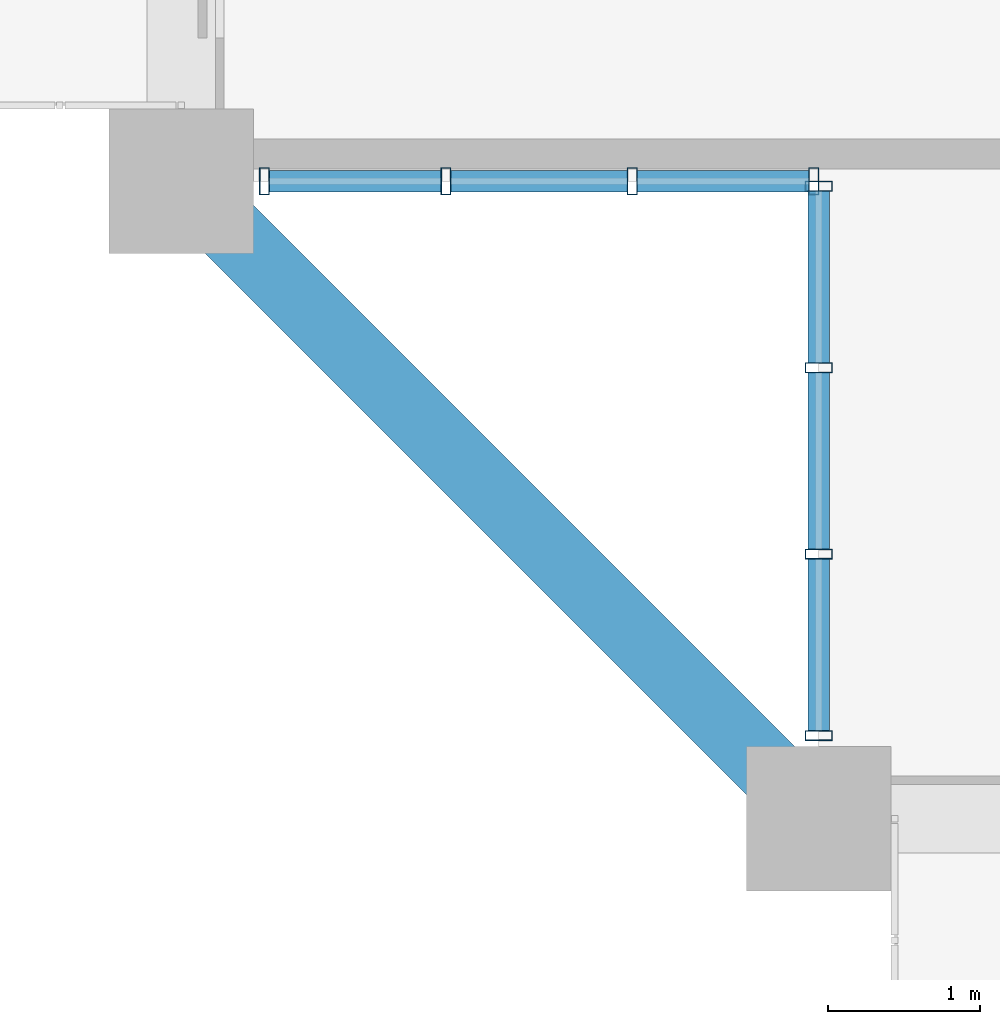
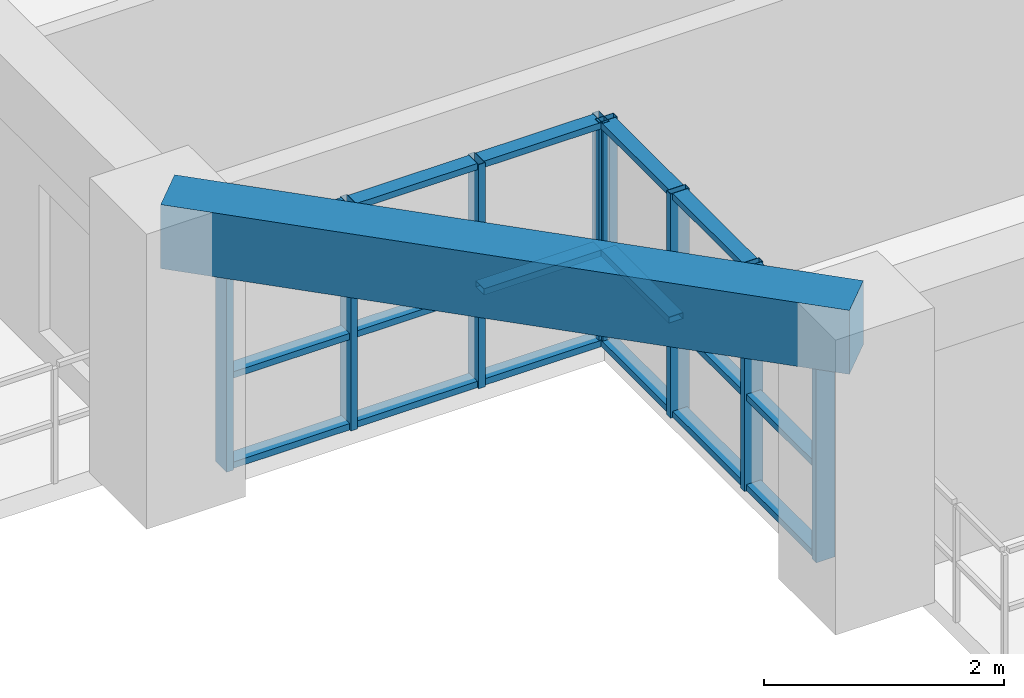
# One storey, part 2 of 25: 26 members, 1 beam, 2 elements without a shape of their own.
"""IFC4 building model written with IfcOpenShell, lengths in metres."""

from ifc_helpers import new_model, si_unit, direction, frame, origin, origin_2d, place, context, subcontext, project, spatial, rectangle, hollow_rectangle, extrude, source, transform, mapped, material, layer, layer_set, material_profile, profile_set, type_object, element, aggregate, save


model = new_model("IFC4")

# Units and contexts
model_context = context("Model", 3, precision=1e-05, world=origin(), true_north=direction((0.0, 1.0)))
body_context = subcontext(model_context, "Body", "Model", "MODEL_VIEW")
ifc_project = project(units=[si_unit("LENGTHUNIT", "METRE"), si_unit("AREAUNIT", "SQUARE_METRE"), si_unit("VOLUMEUNIT", "CUBIC_METRE"), si_unit("PLANEANGLEUNIT", "RADIAN"), si_unit("MASSUNIT", "GRAM", prefix="KILO")], contexts=[model_context])

# Site, building, storey
site_placement = place(None, origin())
site = spatial("IfcSite", under=ifc_project, at=site_placement, CompositionType="ELEMENT")
building_placement = place(site_placement, origin())
building = spatial("IfcBuilding", under=site, at=building_placement, Name="Saelheon Loggia Tower", CompositionType="ELEMENT")
storey_placement = place(building_placement, frame((0.0, 0.0, 107.85009765625)))
storey = spatial("IfcBuildingStorey", under=building, at=storey_placement, Name="L34", CompositionType="ELEMENT", Elevation=107.85009765625)

# Beam
ifc_material_1 = material(Name="Concrete C40/50", Category="concrete")
ifc_material_profile_1 = material_profile(ifc_material_1, rectangle(XDim=0.449951171875, YDim=0.64990234375, at=origin_2d()), Name="RC-450x650")
ifc_profile_set_1 = profile_set([ifc_material_profile_1], Name="Concrete C40/50")
beam_type = type_object("IfcBeamType", Name="Beam_PerimTower_RC450x650", PredefinedType="BEAM", material=ifc_profile_set_1)
shared_shape_1 = source(origin(), body_context, "Body", "SweptSolid", [
    extrude(rectangle(XDim=0.449951171875, YDim=0.64990234375, at=origin_2d()), origin(), (0.0, 0.0, 1.0), 5.939697265625),
])
beam_placement = place(storey_placement, frame((12.0, 7.199951171875, 2.6748046875), z_axis=(0.707106781187, -0.707106781187, 0.0), x_axis=(0.707106781187, 0.707106781187, 0.0)))
element("IfcBeam", 1, at=beam_placement, inside=storey, type_object=beam_type, Name="L34 Perimeter Frame Girder 16", PredefinedType="BEAM", context=body_context, shape_type="MappedRepresentation", body=[
    mapped(shared_shape_1, transform((0.0, 0.0, 0.0), scale=1.0)),
])

# Curtain wall, members
ifc_material_2 = material(Name="Thermal-Break Aluminium and Triple Low-E Glass", Category="aluminium")
ifc_layer = layer(ifc_material_2, 0.159912109375)
ifc_layer_set = layer_set([ifc_layer], Name="Thermal-Break Aluminium and Triple Low-E Glass")
curtain_wall_type = type_object("IfcCurtainWallType", Name="CW_TowerLoggiaLow", PredefinedType="NOTDEFINED", material=ifc_layer_set)
curtain_wall_1_placement = place(storey_placement, origin())
curtain_wall_1 = element("IfcCurtainWall", 2, at=curtain_wall_1_placement, inside=storey, type_object=curtain_wall_type, Name="L34 Corner Notch Glazing SW1", PredefinedType="NOTDEFINED")
ifc_material_3 = material(Name="Anodised Aluminium 6063-T6", Category="aluminium")
ifc_material_profile_2 = material_profile(ifc_material_3, hollow_rectangle(XDim=0.06494140625, YDim=0.179931640625, WallThickness=0.00390625, at=origin_2d()), Name="RHS-180x65x4")
ifc_profile_set_2 = profile_set([ifc_material_profile_2], Name="Anodised Aluminium 6063-T6")
member_type_1 = type_object("IfcMemberType", Name="CW_TowerLoggiaLow_Mullion", PredefinedType="MULLION", material=ifc_profile_set_2)
shared_shape_2 = source(origin(), body_context, "Body", "SweptSolid", [
    extrude(hollow_rectangle(XDim=0.06494140625, YDim=0.179931640625, WallThickness=0.00390625, at=origin_2d()), origin(), (0.0, 0.0, 1.0), 2.27978515625),
])
member_1_placement = place(storey_placement, frame((16.199951171875, 3.547607421875, 0.0), z_axis=(0.0, 0.0, 1.0), x_axis=(0.0, 1.0, 0.0)))
member_1 = element("IfcMember", 3, at=member_1_placement, type_object=member_type_1, Name="CW3 mullion 1", PredefinedType="MULLION", context=body_context, shape_type="MappedRepresentation", body=[
    mapped(shared_shape_2, transform((0.0, 0.0, 0.0), scale=1.0)),
])
member_2_placement = place(storey_placement, frame((16.199951171875, 4.743408203125, 0.0), z_axis=(0.0, 0.0, 1.0), x_axis=(0.0, 1.0, 0.0)))
member_2 = element("IfcMember", 4, at=member_2_placement, type_object=member_type_1, Name="CW3 mullion 2", PredefinedType="MULLION", context=body_context, shape_type="MappedRepresentation", body=[
    mapped(shared_shape_2, transform((0.0, 0.0, 0.0), scale=1.0)),
])
member_3_placement = place(storey_placement, frame((16.199951171875, 5.9716796875, 0.0), z_axis=(0.0, 0.0, 1.0), x_axis=(0.0, 1.0, 0.0)))
member_3 = element("IfcMember", 5, at=member_3_placement, type_object=member_type_1, Name="CW3 mullion 3", PredefinedType="MULLION", context=body_context, shape_type="MappedRepresentation", body=[
    mapped(shared_shape_2, transform((0.0, 0.0, 0.0), scale=1.0)),
])
member_4_placement = place(storey_placement, frame((16.199951171875, 7.16748046875, 0.0), z_axis=(0.0, 0.0, 1.0), x_axis=(0.0, 1.0, 0.0)))
member_4 = element("IfcMember", 6, at=member_4_placement, type_object=member_type_1, Name="CW3 mullion 4", PredefinedType="MULLION", context=body_context, shape_type="MappedRepresentation", body=[
    mapped(shared_shape_2, transform((0.0, 0.0, 0.0), scale=1.0)),
])

curtain_wall_2_placement = place(storey_placement, origin())
curtain_wall_2 = element("IfcCurtainWall", 7, at=curtain_wall_2_placement, inside=storey, type_object=curtain_wall_type, Name="L34 Corner Notch Glazing SW2", PredefinedType="NOTDEFINED")
member_5_placement = place(storey_placement, frame((12.547607421875, 7.199951171875, 0.0), z_axis=(0.0, 0.0, 1.0), x_axis=(1.0, 0.0, 0.0)))
member_5 = element("IfcMember", 8, at=member_5_placement, type_object=member_type_1, Name="CW3 mullion 1", PredefinedType="MULLION", context=body_context, shape_type="MappedRepresentation", body=[
    mapped(shared_shape_2, transform((0.0, 0.0, 0.0), scale=1.0)),
])
member_6_placement = place(storey_placement, frame((13.743408203125, 7.199951171875, 0.0), z_axis=(0.0, 0.0, 1.0), x_axis=(1.0, 0.0, 0.0)))
member_6 = element("IfcMember", 9, at=member_6_placement, type_object=member_type_1, Name="CW3 mullion 2", PredefinedType="MULLION", context=body_context, shape_type="MappedRepresentation", body=[
    mapped(shared_shape_2, transform((0.0, 0.0, 0.0), scale=1.0)),
])
member_7_placement = place(storey_placement, frame((14.9716796875, 7.199951171875, 0.0), z_axis=(0.0, 0.0, 1.0), x_axis=(1.0, 0.0, 0.0)))
member_7 = element("IfcMember", 10, at=member_7_placement, type_object=member_type_1, Name="CW3 mullion 3", PredefinedType="MULLION", context=body_context, shape_type="MappedRepresentation", body=[
    mapped(shared_shape_2, transform((0.0, 0.0, 0.0), scale=1.0)),
])
member_8_placement = place(storey_placement, frame((16.16748046875, 7.199951171875, 0.0), z_axis=(0.0, 0.0, 1.0), x_axis=(1.0, 0.0, 0.0)))
member_8 = element("IfcMember", 11, at=member_8_placement, type_object=member_type_1, Name="CW3 mullion 4", PredefinedType="MULLION", context=body_context, shape_type="MappedRepresentation", body=[
    mapped(shared_shape_2, transform((0.0, 0.0, 0.0), scale=1.0)),
])

# Member
ifc_material_profile_3 = material_profile(ifc_material_3, hollow_rectangle(XDim=0.06494140625, YDim=0.139892578125, WallThickness=0.00390625, at=origin_2d()), Name="RHS-140x65x4")
ifc_profile_set_3 = profile_set([ifc_material_profile_3], Name="Anodised Aluminium 6063-T6")
member_type_2 = type_object("IfcMemberType", Name="CW_TowerLoggiaLow_Transom", PredefinedType="USERDEFINED", material=ifc_profile_set_3)
shared_shape_3 = source(origin(), body_context, "Body", "SweptSolid", [
    extrude(hollow_rectangle(XDim=0.06494140625, YDim=0.139892578125, WallThickness=0.00390625, at=origin_2d()), origin(), (0.0, 0.0, 1.0), 1.130859375),
])
member_9_placement = place(storey_placement, frame((16.199951171875, 3.580078125, 0.032470703125), z_axis=(0.0, 1.0, 0.0), x_axis=(0.0, 0.0, 1.0)))
member_9 = element("IfcMember", 12, at=member_9_placement, type_object=member_type_2, Name="CW3 transom 1.1", ObjectType="TRANSOM", PredefinedType="USERDEFINED", context=body_context, shape_type="MappedRepresentation", body=[
    mapped(shared_shape_3, transform((0.0, 0.0, 0.0), scale=1.0)),
])

member_10_placement = place(storey_placement, frame((16.199951171875, 3.580078125, 0.949951171875), z_axis=(0.0, 1.0, 0.0), x_axis=(0.0, 0.0, 1.0)))
member_10 = element("IfcMember", 13, at=member_10_placement, type_object=member_type_2, Name="CW3 transom 1.2", ObjectType="TRANSOM", PredefinedType="USERDEFINED", context=body_context, shape_type="MappedRepresentation", body=[
    mapped(shared_shape_3, transform((0.0, 0.0, 0.0), scale=1.0)),
])

member_11_placement = place(storey_placement, frame((16.199951171875, 3.580078125, 2.247314453125), z_axis=(0.0, 1.0, 0.0), x_axis=(0.0, 0.0, 1.0)))
member_11 = element("IfcMember", 14, at=member_11_placement, type_object=member_type_2, Name="CW3 transom 1.3", ObjectType="TRANSOM", PredefinedType="USERDEFINED", context=body_context, shape_type="MappedRepresentation", body=[
    mapped(shared_shape_3, transform((0.0, 0.0, 0.0), scale=1.0)),
])

member_12_placement = place(storey_placement, frame((16.199951171875, 6.004150390625, 0.032470703125), z_axis=(0.0, 1.0, 0.0), x_axis=(0.0, 0.0, 1.0)))
member_12 = element("IfcMember", 15, at=member_12_placement, type_object=member_type_2, Name="CW3 transom 3.1", ObjectType="TRANSOM", PredefinedType="USERDEFINED", context=body_context, shape_type="MappedRepresentation", body=[
    mapped(shared_shape_3, transform((0.0, 0.0, 0.0), scale=1.0)),
])

member_13_placement = place(storey_placement, frame((16.199951171875, 6.004150390625, 0.949951171875), z_axis=(0.0, 1.0, 0.0), x_axis=(0.0, 0.0, 1.0)))
member_13 = element("IfcMember", 16, at=member_13_placement, type_object=member_type_2, Name="CW3 transom 3.2", ObjectType="TRANSOM", PredefinedType="USERDEFINED", context=body_context, shape_type="MappedRepresentation", body=[
    mapped(shared_shape_3, transform((0.0, 0.0, 0.0), scale=1.0)),
])

member_14_placement = place(storey_placement, frame((16.199951171875, 6.004150390625, 2.247314453125), z_axis=(0.0, 1.0, 0.0), x_axis=(0.0, 0.0, 1.0)))
member_14 = element("IfcMember", 17, at=member_14_placement, type_object=member_type_2, Name="CW3 transom 3.3", ObjectType="TRANSOM", PredefinedType="USERDEFINED", context=body_context, shape_type="MappedRepresentation", body=[
    mapped(shared_shape_3, transform((0.0, 0.0, 0.0), scale=1.0)),
])

member_15_placement = place(storey_placement, frame((12.580078125, 7.199951171875, 0.032470703125), z_axis=(1.0, 0.0, 0.0), x_axis=(0.0, 0.0, 1.0)))
member_15 = element("IfcMember", 18, at=member_15_placement, type_object=member_type_2, Name="CW3 transom 1.1", ObjectType="TRANSOM", PredefinedType="USERDEFINED", context=body_context, shape_type="MappedRepresentation", body=[
    mapped(shared_shape_3, transform((0.0, 0.0, 0.0), scale=1.0)),
])

member_16_placement = place(storey_placement, frame((12.580078125, 7.199951171875, 0.949951171875), z_axis=(1.0, 0.0, 0.0), x_axis=(0.0, 0.0, 1.0)))
member_16 = element("IfcMember", 19, at=member_16_placement, type_object=member_type_2, Name="CW3 transom 1.2", ObjectType="TRANSOM", PredefinedType="USERDEFINED", context=body_context, shape_type="MappedRepresentation", body=[
    mapped(shared_shape_3, transform((0.0, 0.0, 0.0), scale=1.0)),
])

member_17_placement = place(storey_placement, frame((12.580078125, 7.199951171875, 2.247314453125), z_axis=(1.0, 0.0, 0.0), x_axis=(0.0, 0.0, 1.0)))
member_17 = element("IfcMember", 20, at=member_17_placement, type_object=member_type_2, Name="CW3 transom 1.3", ObjectType="TRANSOM", PredefinedType="USERDEFINED", context=body_context, shape_type="MappedRepresentation", body=[
    mapped(shared_shape_3, transform((0.0, 0.0, 0.0), scale=1.0)),
])

member_18_placement = place(storey_placement, frame((15.004150390625, 7.199951171875, 0.032470703125), z_axis=(1.0, 0.0, 0.0), x_axis=(0.0, 0.0, 1.0)))
member_18 = element("IfcMember", 21, at=member_18_placement, type_object=member_type_2, Name="CW3 transom 3.1", ObjectType="TRANSOM", PredefinedType="USERDEFINED", context=body_context, shape_type="MappedRepresentation", body=[
    mapped(shared_shape_3, transform((0.0, 0.0, 0.0), scale=1.0)),
])

member_19_placement = place(storey_placement, frame((15.004150390625, 7.199951171875, 0.949951171875), z_axis=(1.0, 0.0, 0.0), x_axis=(0.0, 0.0, 1.0)))
member_19 = element("IfcMember", 22, at=member_19_placement, type_object=member_type_2, Name="CW3 transom 3.2", ObjectType="TRANSOM", PredefinedType="USERDEFINED", context=body_context, shape_type="MappedRepresentation", body=[
    mapped(shared_shape_3, transform((0.0, 0.0, 0.0), scale=1.0)),
])

member_20_placement = place(storey_placement, frame((15.004150390625, 7.199951171875, 2.247314453125), z_axis=(1.0, 0.0, 0.0), x_axis=(0.0, 0.0, 1.0)))
member_20 = element("IfcMember", 23, at=member_20_placement, type_object=member_type_2, Name="CW3 transom 3.3", ObjectType="TRANSOM", PredefinedType="USERDEFINED", context=body_context, shape_type="MappedRepresentation", body=[
    mapped(shared_shape_3, transform((0.0, 0.0, 0.0), scale=1.0)),
])

shared_shape_4 = source(origin(), body_context, "Body", "SweptSolid", [
    extrude(hollow_rectangle(XDim=0.06494140625, YDim=0.139892578125, WallThickness=0.00390625, at=origin_2d()), origin(), (0.0, 0.0, 1.0), 1.163330078125),
])
member_21_placement = place(storey_placement, frame((16.199951171875, 4.77587890625, 0.032470703125), z_axis=(0.0, 1.0, 0.0), x_axis=(0.0, 0.0, 1.0)))
member_21 = element("IfcMember", 24, at=member_21_placement, type_object=member_type_2, Name="CW3 transom 2.1", ObjectType="TRANSOM", PredefinedType="USERDEFINED", context=body_context, shape_type="MappedRepresentation", body=[
    mapped(shared_shape_4, transform((0.0, 0.0, 0.0), scale=1.0)),
])

member_22_placement = place(storey_placement, frame((16.199951171875, 4.77587890625, 0.949951171875), z_axis=(0.0, 1.0, 0.0), x_axis=(0.0, 0.0, 1.0)))
member_22 = element("IfcMember", 25, at=member_22_placement, type_object=member_type_2, Name="CW3 transom 2.2", ObjectType="TRANSOM", PredefinedType="USERDEFINED", context=body_context, shape_type="MappedRepresentation", body=[
    mapped(shared_shape_4, transform((0.0, 0.0, 0.0), scale=1.0)),
])

member_23_placement = place(storey_placement, frame((16.199951171875, 4.77587890625, 2.247314453125), z_axis=(0.0, 1.0, 0.0), x_axis=(0.0, 0.0, 1.0)))
member_23 = element("IfcMember", 26, at=member_23_placement, type_object=member_type_2, Name="CW3 transom 2.3", ObjectType="TRANSOM", PredefinedType="USERDEFINED", context=body_context, shape_type="MappedRepresentation", body=[
    mapped(shared_shape_4, transform((0.0, 0.0, 0.0), scale=1.0)),
])

aggregate(curtain_wall_1, [member_1, member_2, member_3, member_4, member_9, member_10, member_11, member_21, member_22, member_23, member_12, member_13, member_14])

member_24_placement = place(storey_placement, frame((13.77587890625, 7.199951171875, 0.032470703125), z_axis=(1.0, 0.0, 0.0), x_axis=(0.0, 0.0, 1.0)))
member_24 = element("IfcMember", 27, at=member_24_placement, type_object=member_type_2, Name="CW3 transom 2.1", ObjectType="TRANSOM", PredefinedType="USERDEFINED", context=body_context, shape_type="MappedRepresentation", body=[
    mapped(shared_shape_4, transform((0.0, 0.0, 0.0), scale=1.0)),
])

member_25_placement = place(storey_placement, frame((13.77587890625, 7.199951171875, 0.949951171875), z_axis=(1.0, 0.0, 0.0), x_axis=(0.0, 0.0, 1.0)))
member_25 = element("IfcMember", 28, at=member_25_placement, type_object=member_type_2, Name="CW3 transom 2.2", ObjectType="TRANSOM", PredefinedType="USERDEFINED", context=body_context, shape_type="MappedRepresentation", body=[
    mapped(shared_shape_4, transform((0.0, 0.0, 0.0), scale=1.0)),
])

member_26_placement = place(storey_placement, frame((13.77587890625, 7.199951171875, 2.247314453125), z_axis=(1.0, 0.0, 0.0), x_axis=(0.0, 0.0, 1.0)))
member_26 = element("IfcMember", 29, at=member_26_placement, type_object=member_type_2, Name="CW3 transom 2.3", ObjectType="TRANSOM", PredefinedType="USERDEFINED", context=body_context, shape_type="MappedRepresentation", body=[
    mapped(shared_shape_4, transform((0.0, 0.0, 0.0), scale=1.0)),
])

aggregate(curtain_wall_2, [member_5, member_6, member_7, member_8, member_15, member_16, member_17, member_24, member_25, member_26, member_18, member_19, member_20])

save(model, "model.ifc")
